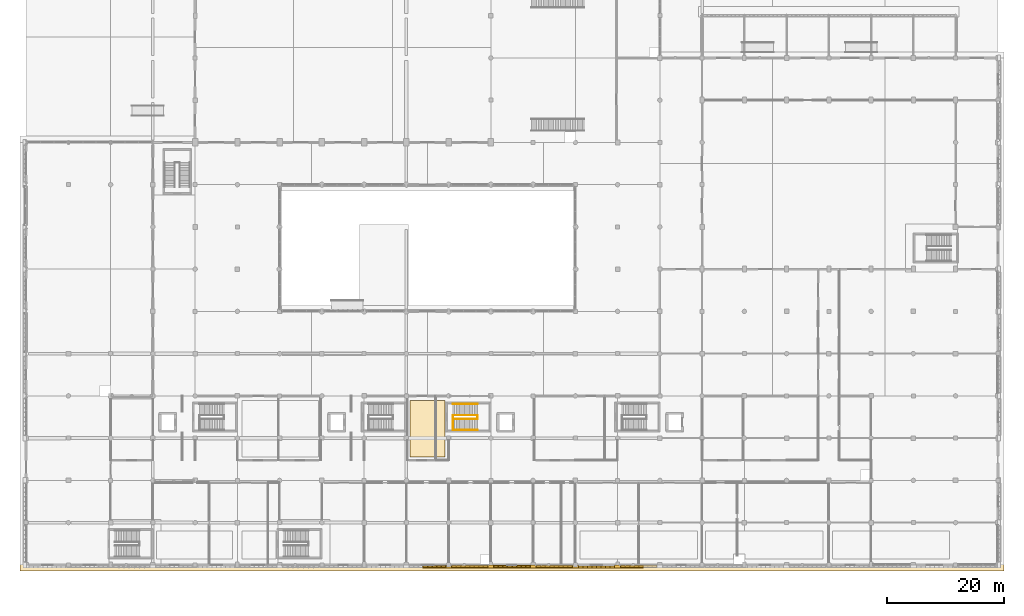
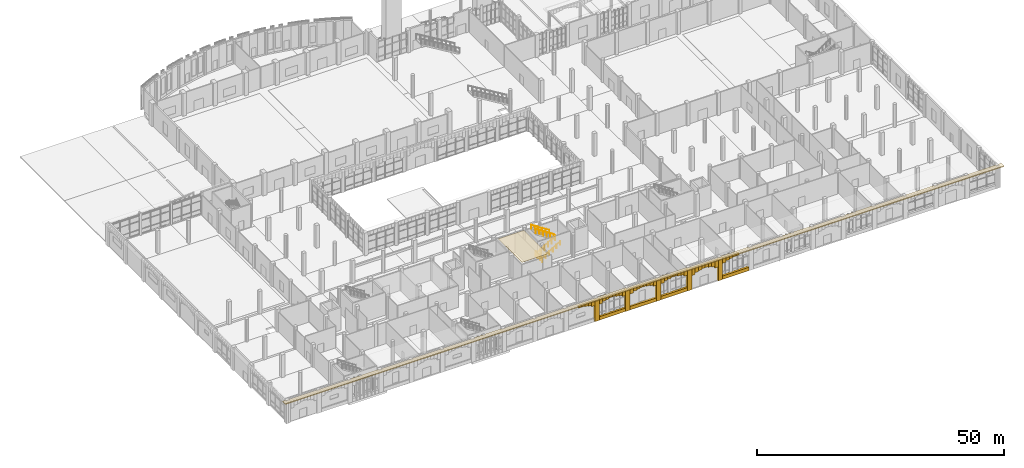
# One storey, part 72 of 85: 53 coverings, 4 railings.
"""IFC4 building model written with IfcOpenShell, lengths in metres."""

from ifc_helpers import new_model, si_unit, direction, frame, frame_2d, origin, origin_2d, place, context, subcontext, project, spatial, polyline, rectangle, circle, outline, extrude, material, layer, layer_set, type_object, element, save


model = new_model("IFC4")

# Units and contexts
model_context = context("Model", 3, precision=1e-05, world=origin(), true_north=direction((0.0, 1.0)))
body_context = subcontext(model_context, "Body", "Model", "MODEL_VIEW")
ifc_project = project(units=[si_unit("LENGTHUNIT", "METRE"), si_unit("AREAUNIT", "SQUARE_METRE"), si_unit("VOLUMEUNIT", "CUBIC_METRE"), si_unit("PLANEANGLEUNIT", "RADIAN"), si_unit("MASSUNIT", "GRAM", prefix="KILO")], contexts=[model_context])

# Site, building, storey
site_placement = place(None, origin())
site = spatial("IfcSite", under=ifc_project, at=site_placement, CompositionType="ELEMENT")
building_placement = place(site_placement, origin())
building = spatial("IfcBuilding", under=site, at=building_placement, Name="Sardonyx Promenade Sports Hall", CompositionType="ELEMENT")
storey_placement = place(building_placement, origin())
storey = spatial("IfcBuildingStorey", under=building, at=storey_placement, Name="L00", CompositionType="ELEMENT", Elevation=0.0)

# Coverings
ifc_material_1 = material(Name="Perforated acoustic mineral-fibre baffle ceiling", Category="other")
ifc_layer_1 = layer(ifc_material_1, 0.0400390625)
ifc_layer_set_1 = layer_set([ifc_layer_1], Name="Cov_Ceil_Acoustic")
covering_type_1 = type_object("IfcCoveringType", Name="Cov_Ceil_Acoustic", PredefinedType="CEILING", material=ifc_layer_set_1)
covering_1_placement = place(storey_placement, frame((0.0, 0.0, 5.280029296875)))
element("IfcCovering", 1, at=covering_1_placement, inside=storey, type_object=covering_type_1, Name="Acoustic baffle ceiling CLG1 L00 #7", PredefinedType="CEILING", context=body_context, shape_type="SweptSolid", body=[
    extrude(outline(polyline([(65.39990234375, 28.0), (65.39990234375, 18.39990234375), (71.39990234375, 18.39990234375), (71.39990234375, 28.0), (65.39990234375, 28.0)])), origin(), (0.0, 0.0, 1.0), 0.0400390625),
])
ifc_material_2 = material(Name="Dressed Cape red sandstone cornice", Category="masonry")
ifc_layer_2 = layer(ifc_material_2, 0.139892578125)
ifc_layer_set_2 = layer_set([ifc_layer_2], Name="Cov_Chhajja_Eave")
covering_type_2 = type_object("IfcCoveringType", Name="Cov_Chhajja_Eave", PredefinedType="MOLDING", material=ifc_layer_set_2)
covering_2_placement = place(storey_placement, frame((0.0, 0.0, 5.25)))
element("IfcCovering", 2, at=covering_2_placement, inside=storey, type_object=covering_type_2, Name="South wing L00 chhajja cornice", PredefinedType="MOLDING", context=body_context, shape_type="SweptSolid", body=[
    extrude(outline(polyline([(-1.050048828125, -1.050048828125), (166.64990234375, -1.050048828125), (166.64990234375, 0.050048828125), (-1.050048828125, 0.050048828125), (-1.050048828125, -1.050048828125)])), origin(), (0.0, 0.0, 1.0), 0.219970703125),
])
ifc_material_3 = material(Name="Dressed Cape red sandstone ashlar", Category="masonry")
ifc_layer_3 = layer(ifc_material_3, 0.06005859375)
ifc_layer_set_3 = layer_set([ifc_layer_3], Name="Cov_Cladding_Sandstone")
covering_type_3 = type_object("IfcCoveringType", Name="Cov_Cladding_Sandstone", PredefinedType="CLADDING", material=ifc_layer_set_3)
covering_3_placement = place(storey_placement, origin())
element("IfcCovering", 3, at=covering_3_placement, inside=storey, type_object=covering_type_3, Name="South sandstone bay pier casing L00 #10", PredefinedType="CLADDING", context=body_context, shape_type="SweptSolid", body=[
    extrude(outline(polyline([(71.47998046875, -0.52001953125), (72.52001953125, -0.52001953125), (72.52001953125, 0.02001953125), (71.47998046875, 0.02001953125), (71.47998046875, -0.52001953125)])), origin(), (0.0, 0.0, 1.0), 5.25),
])
covering_4_placement = place(storey_placement, origin())
element("IfcCovering", 4, at=covering_4_placement, inside=storey, type_object=covering_type_3, Name="South sandstone bay pier casing L00 #11", PredefinedType="CLADDING", context=body_context, shape_type="SweptSolid", body=[
    extrude(outline(polyline([(78.679931640625, -0.52001953125), (79.719970703125, -0.52001953125), (79.719970703125, 0.02001953125), (78.679931640625, 0.02001953125), (78.679931640625, -0.52001953125)])), origin(), (0.0, 0.0, 1.0), 5.25),
])
covering_5_placement = place(storey_placement, origin())
element("IfcCovering", 5, at=covering_5_placement, inside=storey, type_object=covering_type_3, Name="South sandstone bay pier casing L00 #12", PredefinedType="CLADDING", context=body_context, shape_type="SweptSolid", body=[
    extrude(outline(polyline([(85.8798828125, -0.52001953125), (86.919921875, -0.52001953125), (86.919921875, 0.02001953125), (85.8798828125, 0.02001953125), (85.8798828125, -0.52001953125)])), origin(), (0.0, 0.0, 1.0), 5.25),
])
covering_6_placement = place(storey_placement, origin())
element("IfcCovering", 6, at=covering_6_placement, inside=storey, type_object=covering_type_3, Name="South sandstone bay pier casing L00 #13", PredefinedType="CLADDING", context=body_context, shape_type="SweptSolid", body=[
    extrude(outline(polyline([(93.080078125, -0.52001953125), (94.1201171875, -0.52001953125), (94.1201171875, 0.02001953125), (93.080078125, 0.02001953125), (93.080078125, -0.52001953125)])), origin(), (0.0, 0.0, 1.0), 5.25),
])
covering_7_placement = place(storey_placement, origin())
element("IfcCovering", 7, at=covering_7_placement, inside=storey, type_object=covering_type_3, Name="South sandstone bay pier casing L00 #14", PredefinedType="CLADDING", context=body_context, shape_type="SweptSolid", body=[
    extrude(outline(polyline([(100.280029296875, -0.52001953125), (101.320068359375, -0.52001953125), (101.320068359375, 0.02001953125), (100.280029296875, 0.02001953125), (100.280029296875, -0.52001953125)])), origin(), (0.0, 0.0, 1.0), 5.25),
])
covering_8_placement = place(storey_placement, origin())
element("IfcCovering", 8, at=covering_8_placement, inside=storey, type_object=covering_type_3, Name="South sandstone sill spandrel L00 #8", PredefinedType="CLADDING", context=body_context, shape_type="SweptSolid", body=[
    extrude(outline(polyline([(101.320068359375, -0.4599609375), (107.47998046875, -0.4599609375), (107.47998046875, 0.02001953125), (101.320068359375, 0.02001953125), (101.320068359375, -0.4599609375)])), origin(), (0.0, 0.0, 1.0), 0.820068359375),
])
covering_9_placement = place(storey_placement, origin())
element("IfcCovering", 9, at=covering_9_placement, inside=storey, type_object=covering_type_3, Name="South sandstone sill spandrel L00 #10", PredefinedType="CLADDING", context=body_context, shape_type="SweptSolid", body=[
    extrude(outline(polyline([(86.919921875, -0.4599609375), (93.080078125, -0.4599609375), (93.080078125, 0.02001953125), (86.919921875, 0.02001953125), (86.919921875, -0.4599609375)])), origin(), (0.0, 0.0, 1.0), 0.820068359375),
])
covering_10_placement = place(storey_placement, origin())
element("IfcCovering", 10, at=covering_10_placement, inside=storey, type_object=covering_type_3, Name="South sandstone sill spandrel L00 #11", PredefinedType="CLADDING", context=body_context, shape_type="SweptSolid", body=[
    extrude(outline(polyline([(79.719970703125, -0.4599609375), (85.8798828125, -0.4599609375), (85.8798828125, 0.02001953125), (79.719970703125, 0.02001953125), (79.719970703125, -0.4599609375)])), origin(), (0.0, 0.0, 1.0), 0.820068359375),
])
covering_11_placement = place(storey_placement, origin())
element("IfcCovering", 11, at=covering_11_placement, inside=storey, type_object=covering_type_3, Name="South sandstone sill spandrel L00 #12", PredefinedType="CLADDING", context=body_context, shape_type="SweptSolid", body=[
    extrude(outline(polyline([(72.52001953125, -0.4599609375), (78.679931640625, -0.4599609375), (78.679931640625, 0.02001953125), (72.52001953125, 0.02001953125), (72.52001953125, -0.4599609375)])), origin(), (0.0, 0.0, 1.0), 0.820068359375),
])
ifc_material_4 = material(Name="Carved Cape red sandstone ashlar", Category="masonry")
ifc_layer_4 = layer(ifc_material_4, 0.239990234375)
ifc_layer_set_4 = layer_set([ifc_layer_4], Name="Cov_Mughal_Arch")
covering_type_4 = type_object("IfcCoveringType", Name="Cov_Mughal_Arch", PredefinedType="CLADDING", material=ifc_layer_set_4)
covering_12_placement = place(storey_placement, frame((101.320068359375, -0.360107421875, 3.977783203125), z_axis=(0.0, 0.0, 1.0), x_axis=(1.0, 0.0, 0.0)))
element("IfcCovering", 12, at=covering_12_placement, inside=storey, type_object=covering_type_4, Name="Mughal pointed-arch spandrel L00 cov:sl00arch:08 #1", PredefinedType="CLADDING", context=body_context, shape_type="SweptSolid", body=[
    extrude(rectangle(XDim=0.77001953125, YDim=0.340087890625, at=frame_2d((0.385009765625, 0.0))), origin(), (0.0, 0.0, 1.0), 1.272216796875),
])
covering_13_placement = place(storey_placement, frame((102.090087890625, -0.360107421875, 4.3671875), z_axis=(0.0, 0.0, 1.0), x_axis=(1.0, 0.0, 0.0)))
element("IfcCovering", 13, at=covering_13_placement, inside=storey, type_object=covering_type_4, Name="Mughal pointed-arch spandrel L00 cov:sl00arch:08 #2", PredefinedType="CLADDING", context=body_context, shape_type="SweptSolid", body=[
    extrude(rectangle(XDim=0.77001953125, YDim=0.340087890625, at=frame_2d((0.385009765625, 0.0))), origin(), (0.0, 0.0, 1.0), 0.8828125),
])
covering_14_placement = place(storey_placement, frame((102.860107421875, -0.360107421875, 4.51220703125), z_axis=(0.0, 0.0, 1.0), x_axis=(1.0, 0.0, 0.0)))
element("IfcCovering", 14, at=covering_14_placement, inside=storey, type_object=covering_type_4, Name="Mughal pointed-arch spandrel L00 cov:sl00arch:08 #3", PredefinedType="CLADDING", context=body_context, shape_type="SweptSolid", body=[
    extrude(rectangle(XDim=0.769775390625, YDim=0.340087890625, at=frame_2d((0.384765625, 0.0))), origin(), (0.0, 0.0, 1.0), 0.73779296875),
])
for number, where, z_axis, x_axis, name in (
    (15, (103.6298828125, -0.360107421875, 4.69775390625), (0.0, 0.0, 1.0), (1.0, 0.0, 0.0), "Mughal pointed-arch spandrel L00 cov:sl00arch:08 #4"),
    (16, (104.39990234375, -0.360107421875, 4.69775390625), (0.0, 0.0, 1.0), (1.0, 0.0, 0.0), "Mughal pointed-arch spandrel L00 cov:sl00arch:08 #5"),
):
    element("IfcCovering", number, at=place(storey_placement, frame(where, z_axis=z_axis, x_axis=x_axis)), inside=storey, type_object=covering_type_4, Name=name, PredefinedType="CLADDING", context=body_context, shape_type="SweptSolid", body=[
        extrude(rectangle(XDim=0.77001953125, YDim=0.340087890625, at=frame_2d((0.385009765625, 0.0))), origin(), (0.0, 0.0, 1.0), 0.55224609375),
    ])
covering_15_placement = place(storey_placement, frame((94.1201171875, -0.360107421875, 3.463134765625), z_axis=(0.0, 0.0, 1.0), x_axis=(1.0, 0.0, 0.0)))
element("IfcCovering", 17, at=covering_15_placement, inside=storey, type_object=covering_type_4, Name="Mughal pointed-arch spandrel L00 cov:sdoorarch:09 #1", PredefinedType="CLADDING", context=body_context, shape_type="SweptSolid", body=[
    extrude(rectangle(XDim=0.769775390625, YDim=0.360107421875, at=frame_2d((0.384765625, 0.0))), origin(), (0.0, 0.0, 1.0), 1.786865234375),
])
covering_16_placement = place(storey_placement, frame((94.889892578125, -0.360107421875, 3.9541015625), z_axis=(0.0, 0.0, 1.0), x_axis=(1.0, 0.0, 0.0)))
element("IfcCovering", 18, at=covering_16_placement, inside=storey, type_object=covering_type_4, Name="Mughal pointed-arch spandrel L00 cov:sdoorarch:09 #2", PredefinedType="CLADDING", context=body_context, shape_type="SweptSolid", body=[
    extrude(rectangle(XDim=0.77001953125, YDim=0.360107421875, at=frame_2d((0.385009765625, 0.0))), origin(), (0.0, 0.0, 1.0), 1.2958984375),
])
covering_17_placement = place(storey_placement, frame((95.659912109375, -0.360107421875, 4.13720703125), z_axis=(0.0, 0.0, 1.0), x_axis=(1.0, 0.0, 0.0)))
element("IfcCovering", 19, at=covering_17_placement, inside=storey, type_object=covering_type_4, Name="Mughal pointed-arch spandrel L00 cov:sdoorarch:09 #3", PredefinedType="CLADDING", context=body_context, shape_type="SweptSolid", body=[
    extrude(rectangle(XDim=0.77001953125, YDim=0.360107421875, at=frame_2d((0.385009765625, 0.0))), origin(), (0.0, 0.0, 1.0), 1.11279296875),
])
for number, where, z_axis, x_axis, name in (
    (20, (96.429931640625, -0.360107421875, 4.37109375), (0.0, 0.0, 1.0), (1.0, 0.0, 0.0), "Mughal pointed-arch spandrel L00 cov:sdoorarch:09 #4"),
    (21, (97.199951171875, -0.360107421875, 4.37109375), (0.0, 0.0, 1.0), (1.0, 0.0, 0.0), "Mughal pointed-arch spandrel L00 cov:sdoorarch:09 #5"),
):
    element("IfcCovering", number, at=place(storey_placement, frame(where, z_axis=z_axis, x_axis=x_axis)), inside=storey, type_object=covering_type_4, Name=name, PredefinedType="CLADDING", context=body_context, shape_type="SweptSolid", body=[
        extrude(rectangle(XDim=0.77001953125, YDim=0.360107421875, at=frame_2d((0.385009765625, 0.0))), origin(), (0.0, 0.0, 1.0), 0.87890625),
    ])
covering_18_placement = place(storey_placement, frame((97.969970703125, -0.360107421875, 4.13720703125), z_axis=(0.0, 0.0, 1.0), x_axis=(1.0, 0.0, 0.0)))
element("IfcCovering", 22, at=covering_18_placement, inside=storey, type_object=covering_type_4, Name="Mughal pointed-arch spandrel L00 cov:sdoorarch:09 #6", PredefinedType="CLADDING", context=body_context, shape_type="SweptSolid", body=[
    extrude(rectangle(XDim=0.77001953125, YDim=0.360107421875, at=frame_2d((0.385009765625, 0.0))), origin(), (0.0, 0.0, 1.0), 1.11279296875),
])
covering_19_placement = place(storey_placement, frame((98.739990234375, -0.360107421875, 3.9541015625), z_axis=(0.0, 0.0, 1.0), x_axis=(1.0, 0.0, 0.0)))
element("IfcCovering", 23, at=covering_19_placement, inside=storey, type_object=covering_type_4, Name="Mughal pointed-arch spandrel L00 cov:sdoorarch:09 #7", PredefinedType="CLADDING", context=body_context, shape_type="SweptSolid", body=[
    extrude(rectangle(XDim=0.77001953125, YDim=0.360107421875, at=frame_2d((0.385009765625, 0.0))), origin(), (0.0, 0.0, 1.0), 1.2958984375),
])
covering_20_placement = place(storey_placement, frame((99.510009765625, -0.360107421875, 3.463134765625), z_axis=(0.0, 0.0, 1.0), x_axis=(1.0, 0.0, 0.0)))
element("IfcCovering", 24, at=covering_20_placement, inside=storey, type_object=covering_type_4, Name="Mughal pointed-arch spandrel L00 cov:sdoorarch:09 #8", PredefinedType="CLADDING", context=body_context, shape_type="SweptSolid", body=[
    extrude(rectangle(XDim=0.77001953125, YDim=0.360107421875, at=frame_2d((0.385009765625, 0.0))), origin(), (0.0, 0.0, 1.0), 1.786865234375),
])
covering_21_placement = place(storey_placement, frame((86.919921875, -0.360107421875, 3.977783203125), z_axis=(0.0, 0.0, 1.0), x_axis=(1.0, 0.0, 0.0)))
element("IfcCovering", 25, at=covering_21_placement, inside=storey, type_object=covering_type_4, Name="Mughal pointed-arch spandrel L00 cov:sl00arch:10 #1", PredefinedType="CLADDING", context=body_context, shape_type="SweptSolid", body=[
    extrude(rectangle(XDim=0.77001953125, YDim=0.340087890625, at=frame_2d((0.385009765625, 0.0))), origin(), (0.0, 0.0, 1.0), 1.272216796875),
])
covering_22_placement = place(storey_placement, frame((87.68994140625, -0.360107421875, 4.3671875), z_axis=(0.0, 0.0, 1.0), x_axis=(1.0, 0.0, 0.0)))
element("IfcCovering", 26, at=covering_22_placement, inside=storey, type_object=covering_type_4, Name="Mughal pointed-arch spandrel L00 cov:sl00arch:10 #2", PredefinedType="CLADDING", context=body_context, shape_type="SweptSolid", body=[
    extrude(rectangle(XDim=0.77001953125, YDim=0.340087890625, at=frame_2d((0.385009765625, 0.0))), origin(), (0.0, 0.0, 1.0), 0.8828125),
])
covering_23_placement = place(storey_placement, frame((88.4599609375, -0.360107421875, 4.51220703125), z_axis=(0.0, 0.0, 1.0), x_axis=(1.0, 0.0, 0.0)))
element("IfcCovering", 27, at=covering_23_placement, inside=storey, type_object=covering_type_4, Name="Mughal pointed-arch spandrel L00 cov:sl00arch:10 #3", PredefinedType="CLADDING", context=body_context, shape_type="SweptSolid", body=[
    extrude(rectangle(XDim=0.77001953125, YDim=0.340087890625, at=frame_2d((0.385009765625, 0.0))), origin(), (0.0, 0.0, 1.0), 0.73779296875),
])
for number, where, z_axis, x_axis, name in (
    (28, (89.22998046875, -0.360107421875, 4.69775390625), (0.0, 0.0, 1.0), (1.0, 0.0, 0.0), "Mughal pointed-arch spandrel L00 cov:sl00arch:10 #4"),
    (29, (90.0, -0.360107421875, 4.69775390625), (0.0, 0.0, 1.0), (1.0, 0.0, 0.0), "Mughal pointed-arch spandrel L00 cov:sl00arch:10 #5"),
):
    element("IfcCovering", number, at=place(storey_placement, frame(where, z_axis=z_axis, x_axis=x_axis)), inside=storey, type_object=covering_type_4, Name=name, PredefinedType="CLADDING", context=body_context, shape_type="SweptSolid", body=[
        extrude(rectangle(XDim=0.77001953125, YDim=0.340087890625, at=frame_2d((0.385009765625, 0.0))), origin(), (0.0, 0.0, 1.0), 0.55224609375),
    ])
covering_24_placement = place(storey_placement, frame((90.77001953125, -0.360107421875, 4.51220703125), z_axis=(0.0, 0.0, 1.0), x_axis=(1.0, 0.0, 0.0)))
element("IfcCovering", 30, at=covering_24_placement, inside=storey, type_object=covering_type_4, Name="Mughal pointed-arch spandrel L00 cov:sl00arch:10 #6", PredefinedType="CLADDING", context=body_context, shape_type="SweptSolid", body=[
    extrude(rectangle(XDim=0.77001953125, YDim=0.340087890625, at=frame_2d((0.385009765625, 0.0))), origin(), (0.0, 0.0, 1.0), 0.73779296875),
])
covering_25_placement = place(storey_placement, frame((91.5400390625, -0.360107421875, 4.3671875), z_axis=(0.0, 0.0, 1.0), x_axis=(1.0, 0.0, 0.0)))
element("IfcCovering", 31, at=covering_25_placement, inside=storey, type_object=covering_type_4, Name="Mughal pointed-arch spandrel L00 cov:sl00arch:10 #7", PredefinedType="CLADDING", context=body_context, shape_type="SweptSolid", body=[
    extrude(rectangle(XDim=0.77001953125, YDim=0.340087890625, at=frame_2d((0.385009765625, 0.0))), origin(), (0.0, 0.0, 1.0), 0.8828125),
])
for number, where, z_axis, x_axis, name in (
    (32, (92.31005859375, -0.360107421875, 3.977783203125), (0.0, 0.0, 1.0), (1.0, 0.0, 0.0), "Mughal pointed-arch spandrel L00 cov:sl00arch:10 #8"),
    (33, (79.719970703125, -0.360107421875, 3.977783203125), (0.0, 0.0, 1.0), (1.0, 0.0, 0.0), "Mughal pointed-arch spandrel L00 cov:sl00arch:11 #1"),
):
    element("IfcCovering", number, at=place(storey_placement, frame(where, z_axis=z_axis, x_axis=x_axis)), inside=storey, type_object=covering_type_4, Name=name, PredefinedType="CLADDING", context=body_context, shape_type="SweptSolid", body=[
        extrude(rectangle(XDim=0.77001953125, YDim=0.340087890625, at=frame_2d((0.385009765625, 0.0))), origin(), (0.0, 0.0, 1.0), 1.272216796875),
    ])
covering_26_placement = place(storey_placement, frame((80.489990234375, -0.360107421875, 4.3671875), z_axis=(0.0, 0.0, 1.0), x_axis=(1.0, 0.0, 0.0)))
element("IfcCovering", 34, at=covering_26_placement, inside=storey, type_object=covering_type_4, Name="Mughal pointed-arch spandrel L00 cov:sl00arch:11 #2", PredefinedType="CLADDING", context=body_context, shape_type="SweptSolid", body=[
    extrude(rectangle(XDim=0.77001953125, YDim=0.340087890625, at=frame_2d((0.385009765625, 0.0))), origin(), (0.0, 0.0, 1.0), 0.8828125),
])
covering_27_placement = place(storey_placement, frame((81.260009765625, -0.360107421875, 4.51220703125), z_axis=(0.0, 0.0, 1.0), x_axis=(1.0, 0.0, 0.0)))
element("IfcCovering", 35, at=covering_27_placement, inside=storey, type_object=covering_type_4, Name="Mughal pointed-arch spandrel L00 cov:sl00arch:11 #3", PredefinedType="CLADDING", context=body_context, shape_type="SweptSolid", body=[
    extrude(rectangle(XDim=0.77001953125, YDim=0.340087890625, at=frame_2d((0.385009765625, 0.0))), origin(), (0.0, 0.0, 1.0), 0.73779296875),
])
for number, where, z_axis, x_axis, name in (
    (36, (82.030029296875, -0.360107421875, 4.69775390625), (0.0, 0.0, 1.0), (1.0, 0.0, 0.0), "Mughal pointed-arch spandrel L00 cov:sl00arch:11 #4"),
    (37, (82.800048828125, -0.360107421875, 4.69775390625), (0.0, 0.0, 1.0), (1.0, 0.0, 0.0), "Mughal pointed-arch spandrel L00 cov:sl00arch:11 #5"),
):
    element("IfcCovering", number, at=place(storey_placement, frame(where, z_axis=z_axis, x_axis=x_axis)), inside=storey, type_object=covering_type_4, Name=name, PredefinedType="CLADDING", context=body_context, shape_type="SweptSolid", body=[
        extrude(rectangle(XDim=0.77001953125, YDim=0.340087890625, at=frame_2d((0.385009765625, 0.0))), origin(), (0.0, 0.0, 1.0), 0.55224609375),
    ])
covering_28_placement = place(storey_placement, frame((83.570068359375, -0.360107421875, 4.51220703125), z_axis=(0.0, 0.0, 1.0), x_axis=(1.0, 0.0, 0.0)))
element("IfcCovering", 38, at=covering_28_placement, inside=storey, type_object=covering_type_4, Name="Mughal pointed-arch spandrel L00 cov:sl00arch:11 #6", PredefinedType="CLADDING", context=body_context, shape_type="SweptSolid", body=[
    extrude(rectangle(XDim=0.77001953125, YDim=0.340087890625, at=frame_2d((0.385009765625, 0.0))), origin(), (0.0, 0.0, 1.0), 0.73779296875),
])
covering_29_placement = place(storey_placement, frame((84.340087890625, -0.360107421875, 4.3671875), z_axis=(0.0, 0.0, 1.0), x_axis=(1.0, 0.0, 0.0)))
element("IfcCovering", 39, at=covering_29_placement, inside=storey, type_object=covering_type_4, Name="Mughal pointed-arch spandrel L00 cov:sl00arch:11 #7", PredefinedType="CLADDING", context=body_context, shape_type="SweptSolid", body=[
    extrude(rectangle(XDim=0.77001953125, YDim=0.340087890625, at=frame_2d((0.385009765625, 0.0))), origin(), (0.0, 0.0, 1.0), 0.8828125),
])
covering_30_placement = place(storey_placement, frame((85.110107421875, -0.360107421875, 3.977783203125), z_axis=(0.0, 0.0, 1.0), x_axis=(1.0, 0.0, 0.0)))
element("IfcCovering", 40, at=covering_30_placement, inside=storey, type_object=covering_type_4, Name="Mughal pointed-arch spandrel L00 cov:sl00arch:11 #8", PredefinedType="CLADDING", context=body_context, shape_type="SweptSolid", body=[
    extrude(rectangle(XDim=0.769775390625, YDim=0.340087890625, at=frame_2d((0.384765625, 0.0))), origin(), (0.0, 0.0, 1.0), 1.272216796875),
])
covering_31_placement = place(storey_placement, frame((72.52001953125, -0.360107421875, 3.977783203125), z_axis=(0.0, 0.0, 1.0), x_axis=(1.0, 0.0, 0.0)))
element("IfcCovering", 41, at=covering_31_placement, inside=storey, type_object=covering_type_4, Name="Mughal pointed-arch spandrel L00 cov:sl00arch:12 #1", PredefinedType="CLADDING", context=body_context, shape_type="SweptSolid", body=[
    extrude(rectangle(XDim=0.77001953125, YDim=0.340087890625, at=frame_2d((0.385009765625, 0.0))), origin(), (0.0, 0.0, 1.0), 1.272216796875),
])
covering_32_placement = place(storey_placement, frame((73.2900390625, -0.360107421875, 4.3671875), z_axis=(0.0, 0.0, 1.0), x_axis=(1.0, 0.0, 0.0)))
element("IfcCovering", 42, at=covering_32_placement, inside=storey, type_object=covering_type_4, Name="Mughal pointed-arch spandrel L00 cov:sl00arch:12 #2", PredefinedType="CLADDING", context=body_context, shape_type="SweptSolid", body=[
    extrude(rectangle(XDim=0.77001953125, YDim=0.340087890625, at=frame_2d((0.385009765625, 0.0))), origin(), (0.0, 0.0, 1.0), 0.8828125),
])
covering_33_placement = place(storey_placement, frame((74.06005859375, -0.360107421875, 4.51220703125), z_axis=(0.0, 0.0, 1.0), x_axis=(1.0, 0.0, 0.0)))
element("IfcCovering", 43, at=covering_33_placement, inside=storey, type_object=covering_type_4, Name="Mughal pointed-arch spandrel L00 cov:sl00arch:12 #3", PredefinedType="CLADDING", context=body_context, shape_type="SweptSolid", body=[
    extrude(rectangle(XDim=0.77001953125, YDim=0.340087890625, at=frame_2d((0.385009765625, 0.0))), origin(), (0.0, 0.0, 1.0), 0.73779296875),
])
for number, where, z_axis, x_axis, name in (
    (44, (74.830078125, -0.360107421875, 4.69775390625), (0.0, 0.0, 1.0), (1.0, 0.0, 0.0), "Mughal pointed-arch spandrel L00 cov:sl00arch:12 #4"),
    (45, (75.60009765625, -0.360107421875, 4.69775390625), (0.0, 0.0, 1.0), (1.0, 0.0, 0.0), "Mughal pointed-arch spandrel L00 cov:sl00arch:12 #5"),
):
    element("IfcCovering", number, at=place(storey_placement, frame(where, z_axis=z_axis, x_axis=x_axis)), inside=storey, type_object=covering_type_4, Name=name, PredefinedType="CLADDING", context=body_context, shape_type="SweptSolid", body=[
        extrude(rectangle(XDim=0.77001953125, YDim=0.340087890625, at=frame_2d((0.385009765625, 0.0))), origin(), (0.0, 0.0, 1.0), 0.55224609375),
    ])
covering_34_placement = place(storey_placement, frame((76.3701171875, -0.360107421875, 4.51220703125), z_axis=(0.0, 0.0, 1.0), x_axis=(1.0, 0.0, 0.0)))
element("IfcCovering", 46, at=covering_34_placement, inside=storey, type_object=covering_type_4, Name="Mughal pointed-arch spandrel L00 cov:sl00arch:12 #6", PredefinedType="CLADDING", context=body_context, shape_type="SweptSolid", body=[
    extrude(rectangle(XDim=0.769775390625, YDim=0.340087890625, at=frame_2d((0.384765625, 0.0))), origin(), (0.0, 0.0, 1.0), 0.73779296875),
])
covering_35_placement = place(storey_placement, frame((77.139892578125, -0.360107421875, 4.3671875), z_axis=(0.0, 0.0, 1.0), x_axis=(1.0, 0.0, 0.0)))
element("IfcCovering", 47, at=covering_35_placement, inside=storey, type_object=covering_type_4, Name="Mughal pointed-arch spandrel L00 cov:sl00arch:12 #7", PredefinedType="CLADDING", context=body_context, shape_type="SweptSolid", body=[
    extrude(rectangle(XDim=0.77001953125, YDim=0.340087890625, at=frame_2d((0.385009765625, 0.0))), origin(), (0.0, 0.0, 1.0), 0.8828125),
])
covering_36_placement = place(storey_placement, frame((77.909912109375, -0.360107421875, 3.977783203125), z_axis=(0.0, 0.0, 1.0), x_axis=(1.0, 0.0, 0.0)))
element("IfcCovering", 48, at=covering_36_placement, inside=storey, type_object=covering_type_4, Name="Mughal pointed-arch spandrel L00 cov:sl00arch:12 #8", PredefinedType="CLADDING", context=body_context, shape_type="SweptSolid", body=[
    extrude(rectangle(XDim=0.77001953125, YDim=0.340087890625, at=frame_2d((0.385009765625, 0.0))), origin(), (0.0, 0.0, 1.0), 1.272216796875),
])
for number, where, z_axis, x_axis, name in (
    (49, (67.6298828125, -0.360107421875, 4.69775390625), (0.0, 0.0, 1.0), (1.0, 0.0, 0.0), "Mughal pointed-arch spandrel L00 cov:sl00arch:13 #4"),
    (50, (68.39990234375, -0.360107421875, 4.69775390625), (0.0, 0.0, 1.0), (1.0, 0.0, 0.0), "Mughal pointed-arch spandrel L00 cov:sl00arch:13 #5"),
):
    element("IfcCovering", number, at=place(storey_placement, frame(where, z_axis=z_axis, x_axis=x_axis)), inside=storey, type_object=covering_type_4, Name=name, PredefinedType="CLADDING", context=body_context, shape_type="SweptSolid", body=[
        extrude(rectangle(XDim=0.77001953125, YDim=0.340087890625, at=frame_2d((0.385009765625, 0.0))), origin(), (0.0, 0.0, 1.0), 0.55224609375),
    ])
covering_37_placement = place(storey_placement, frame((69.169921875, -0.360107421875, 4.51220703125), z_axis=(0.0, 0.0, 1.0), x_axis=(1.0, 0.0, 0.0)))
element("IfcCovering", 51, at=covering_37_placement, inside=storey, type_object=covering_type_4, Name="Mughal pointed-arch spandrel L00 cov:sl00arch:13 #6", PredefinedType="CLADDING", context=body_context, shape_type="SweptSolid", body=[
    extrude(rectangle(XDim=0.77001953125, YDim=0.340087890625, at=frame_2d((0.385009765625, 0.0))), origin(), (0.0, 0.0, 1.0), 0.73779296875),
])
covering_38_placement = place(storey_placement, frame((69.93994140625, -0.360107421875, 4.3671875), z_axis=(0.0, 0.0, 1.0), x_axis=(1.0, 0.0, 0.0)))
element("IfcCovering", 52, at=covering_38_placement, inside=storey, type_object=covering_type_4, Name="Mughal pointed-arch spandrel L00 cov:sl00arch:13 #7", PredefinedType="CLADDING", context=body_context, shape_type="SweptSolid", body=[
    extrude(rectangle(XDim=0.77001953125, YDim=0.340087890625, at=frame_2d((0.385009765625, 0.0))), origin(), (0.0, 0.0, 1.0), 0.8828125),
])
covering_39_placement = place(storey_placement, frame((70.7099609375, -0.360107421875, 3.977783203125), z_axis=(0.0, 0.0, 1.0), x_axis=(1.0, 0.0, 0.0)))
element("IfcCovering", 53, at=covering_39_placement, inside=storey, type_object=covering_type_4, Name="Mughal pointed-arch spandrel L00 cov:sl00arch:13 #8", PredefinedType="CLADDING", context=body_context, shape_type="SweptSolid", body=[
    extrude(rectangle(XDim=0.77001953125, YDim=0.340087890625, at=frame_2d((0.385009765625, 0.0))), origin(), (0.0, 0.0, 1.0), 1.272216796875),
])

# Railings
ifc_material_5 = material(Name="Powder-coated Steel S355JR", Category="steel")
railing_type_1 = type_object("IfcRailingType", Name="Rail_Int_Guard_1100", PredefinedType="GUARDRAIL", material=ifc_material_5)
railing_1_placement = place(storey_placement, frame((72.760009765625, 22.945068359375, 0.0)))
element("IfcRailing", 54, at=railing_1_placement, inside=storey, type_object=railing_type_1, Name="Stair floor-edge guard ST4 L00", PredefinedType="GUARDRAIL", context=body_context, shape_type="SweptSolid", body=[
    extrude(circle(Radius=0.02392578125, at=origin_2d()), frame((0.0, 0.0, 1.09619140625), z_axis=(0.0, 1.0, 0.0), x_axis=(-1.0, 0.0, 0.0)), (0.0, 0.0, 1.0), 2.56982421875),
    extrude(circle(Radius=0.02392578125, at=origin_2d()), frame((0.0, 2.56982421875, 1.09619140625), z_axis=(-1.0, 0.0, 0.0), x_axis=(0.0, -1.0, 0.0)), (0.0, 0.0, 1.0), 0.010009765625),
    extrude(circle(Radius=0.02099609375, at=origin_2d()), origin(), (0.0, 0.0, 1.0), 1.072021484375),
    extrude(circle(Radius=0.02099609375, at=origin_2d()), frame((0.0, 0.856689453125, 0.0)), (0.0, 0.0, 1.0), 1.072021484375),
    extrude(circle(Radius=0.02099609375, at=origin_2d()), frame((0.0, 1.713134765625, 0.0)), (0.0, 0.0, 1.0), 1.072021484375),
    extrude(circle(Radius=0.02099609375, at=origin_2d()), frame((0.0, 2.56982421875, 0.0)), (0.0, 0.0, 1.0), 1.072021484375),
    extrude(circle(Radius=0.02099609375, at=origin_2d()), frame((-0.010009765625, 2.56982421875, 0.0)), (0.0, 0.0, 1.0), 1.072021484375),
])
railing_2_placement = place(storey_placement, frame((72.75, 24.885009765625, 0.175048828125)))
element("IfcRailing", 55, at=railing_2_placement, inside=storey, type_object=railing_type_1, Name="Stair inner well guard ST4 L00", PredefinedType="GUARDRAIL", context=body_context, shape_type="SweptSolid", body=[
    extrude(circle(Radius=0.02392578125, at=origin_2d()), frame((0.0, 0.0, 1.09619140625), z_axis=(0.846854242419, 0.0, 0.531825057794), x_axis=(0.0, 1.0, 0.0)), (0.0, 0.0, 1.0), 4.935791015625),
    extrude(circle(Radius=0.02392578125, at=origin_2d()), frame((4.179931640625, 0.0, 3.72119140625), z_axis=(0.0, 1.0, 0.0), x_axis=(-1.0, 0.0, 0.0)), (0.0, 0.0, 1.0), 0.6298828125),
    extrude(circle(Radius=0.02392578125, at=origin_2d()), frame((4.179931640625, 0.6298828125, 3.72119140625), z_axis=(-0.830816424754, 0.0, 0.556546555429), x_axis=(0.0, -1.0, 0.0)), (0.0, 0.0, 1.0), 5.031005859375),
    extrude(circle(Radius=0.02099609375, at=origin_2d()), origin(), (0.0, 0.0, 1.0), 1.072021484375),
    extrude(circle(Radius=0.02099609375, at=origin_2d()), frame((0.8359375, 0.0, 0.52490234375)), (0.0, 0.0, 1.0), 1.072021484375),
    extrude(circle(Radius=0.02099609375, at=origin_2d()), frame((1.671875, 0.0, 1.050048828125)), (0.0, 0.0, 1.0), 1.072021484375),
    extrude(circle(Radius=0.02099609375, at=origin_2d()), frame((2.508056640625, 0.0, 1.574951171875)), (0.0, 0.0, 1.0), 1.072021484375),
    extrude(circle(Radius=0.02099609375, at=origin_2d()), frame((3.343994140625, 0.0, 2.10009765625)), (0.0, 0.0, 1.0), 1.072021484375),
    extrude(circle(Radius=0.02099609375, at=origin_2d()), frame((4.179931640625, 0.0, 2.625)), (0.0, 0.0, 1.0), 1.072021484375),
    extrude(circle(Radius=0.02099609375, at=origin_2d()), frame((4.179931640625, 0.6298828125, 2.625)), (0.0, 0.0, 1.0), 1.072021484375),
    extrude(circle(Radius=0.02099609375, at=origin_2d()), frame((3.343994140625, 0.6298828125, 3.18505859375)), (0.0, 0.0, 1.0), 1.072021484375),
    extrude(circle(Radius=0.02099609375, at=origin_2d()), frame((2.508056640625, 0.6298828125, 3.7451171875)), (0.0, 0.0, 1.0), 1.072021484375),
    extrude(circle(Radius=0.02099609375, at=origin_2d()), frame((1.671875, 0.6298828125, 4.304931640625)), (0.0, 0.0, 1.0), 1.072021484375),
    extrude(circle(Radius=0.02099609375, at=origin_2d()), frame((0.8359375, 0.6298828125, 4.864990234375)), (0.0, 0.0, 1.0), 1.072021484375),
    extrude(circle(Radius=0.02099609375, at=origin_2d()), frame((0.0, 0.6298828125, 5.425048828125)), (0.0, 0.0, 1.0), 1.072021484375),
])
ifc_material_6 = material(Name="Brushed stainless steel Grade 304", Category="steel")
railing_type_2 = type_object("IfcRailingType", Name="Rail_Int_Handrail_900", PredefinedType="HANDRAIL", material=ifc_material_6)
railing_3_placement = place(storey_placement, frame((72.75, 22.97509765625, 0.175048828125)))
element("IfcRailing", 56, at=railing_3_placement, inside=storey, type_object=railing_type_2, Name="Stair handrail ST4 L00 F1", PredefinedType="HANDRAIL", context=body_context, shape_type="SweptSolid", body=[
    extrude(circle(Radius=0.02392578125, at=origin_2d()), frame((0.0, 0.0, 0.8759765625), z_axis=(0.847995534698, 0.0, 0.530003370869), x_axis=(0.0, 1.0, 0.0)), (0.0, 0.0, 1.0), 4.952880859375),
    extrude(circle(Radius=0.02099609375, at=origin_2d()), origin(), (0.0, 0.0, 1.0), 0.851806640625),
    extrude(circle(Radius=0.02099609375, at=origin_2d()), frame((0.840087890625, 0.0, 0.52490234375)), (0.0, 0.0, 1.0), 0.851806640625),
    extrude(circle(Radius=0.02099609375, at=origin_2d()), frame((1.679931640625, 0.0, 1.050048828125)), (0.0, 0.0, 1.0), 0.851806640625),
    extrude(circle(Radius=0.02099609375, at=origin_2d()), frame((2.52001953125, 0.0, 1.574951171875)), (0.0, 0.0, 1.0), 0.851806640625),
    extrude(circle(Radius=0.02099609375, at=origin_2d()), frame((3.35986328125, 0.0, 2.10009765625)), (0.0, 0.0, 1.0), 0.851806640625),
    extrude(circle(Radius=0.02099609375, at=origin_2d()), frame((4.199951171875, 0.0, 2.625)), (0.0, 0.0, 1.0), 0.851806640625),
])
railing_4_placement = place(storey_placement, frame((76.949951171875, 27.425048828125, 2.97509765625)))
element("IfcRailing", 57, at=railing_4_placement, inside=storey, type_object=railing_type_2, Name="Stair handrail ST4 L00 F2", PredefinedType="HANDRAIL", context=body_context, shape_type="SweptSolid", body=[
    extrude(circle(Radius=0.02392578125, at=origin_2d()), frame((0.0, 0.0, 0.8759765625), z_axis=(-0.847995534698, 0.0, 0.530003370869), x_axis=(0.0, -1.0, 0.0)), (0.0, 0.0, 1.0), 4.952880859375),
    extrude(circle(Radius=0.02099609375, at=origin_2d()), origin(), (0.0, 0.0, 1.0), 0.851806640625),
    extrude(circle(Radius=0.02099609375, at=origin_2d()), frame((-0.840087890625, 0.0, 0.52490234375)), (0.0, 0.0, 1.0), 0.851806640625),
    extrude(circle(Radius=0.02099609375, at=origin_2d()), frame((-1.679931640625, 0.0, 1.050048828125)), (0.0, 0.0, 1.0), 0.851806640625),
    extrude(circle(Radius=0.02099609375, at=origin_2d()), frame((-2.52001953125, 0.0, 1.574951171875)), (0.0, 0.0, 1.0), 0.851806640625),
    extrude(circle(Radius=0.02099609375, at=origin_2d()), frame((-3.35986328125, 0.0, 2.10009765625)), (0.0, 0.0, 1.0), 0.851806640625),
    extrude(circle(Radius=0.02099609375, at=origin_2d()), frame((-4.199951171875, 0.0, 2.625)), (0.0, 0.0, 1.0), 0.851806640625),
])

save(model, "model.ifc")
